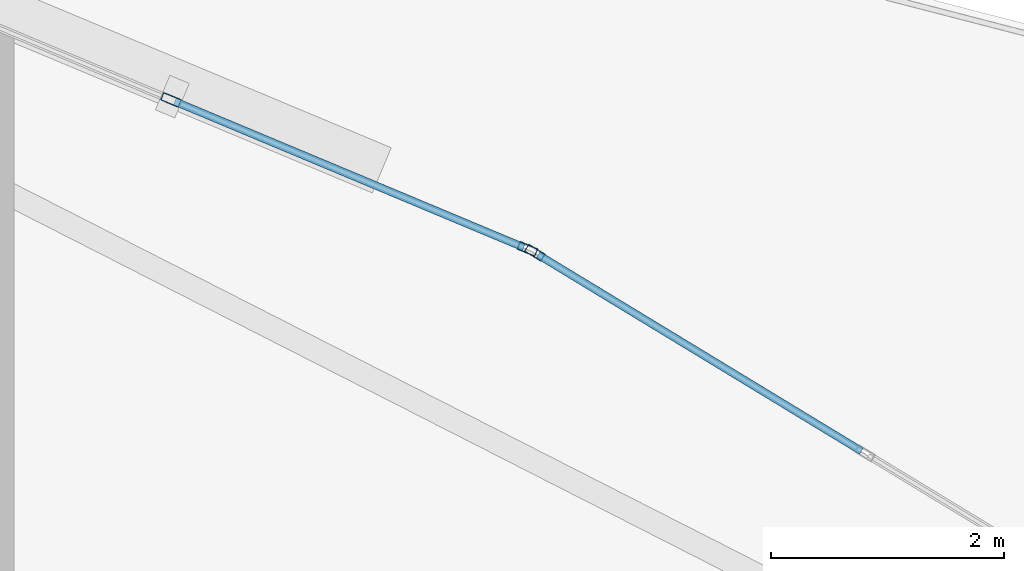
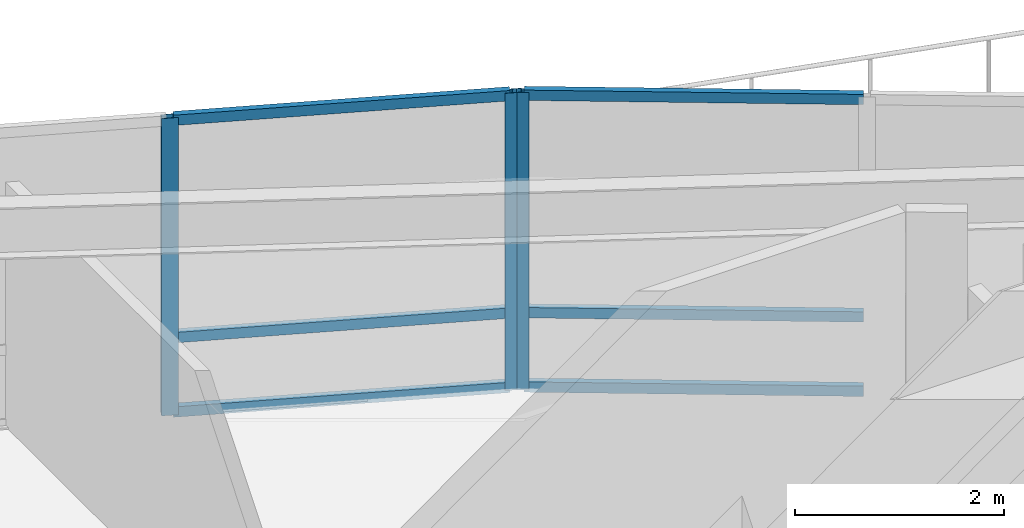
# One storey, part 12 of 19: 9 members, 2 elements without a shape of their own.
"""IFC4 building model written with IfcOpenShell, lengths in metres."""

from ifc_helpers import new_model, si_unit, direction, frame, origin, origin_2d, place, context, subcontext, project, spatial, hollow_rectangle, extrude, material, layer, layer_set, material_profile, profile_set, type_object, element, aggregate, save


model = new_model("IFC4")

# Units and contexts
model_context = context("Model", 3, precision=1e-05, world=origin(), true_north=direction((0.0, 1.0)))
body_context = subcontext(model_context, "Body", "Model", "MODEL_VIEW")
ifc_project = project(units=[si_unit("LENGTHUNIT", "METRE"), si_unit("AREAUNIT", "SQUARE_METRE"), si_unit("VOLUMEUNIT", "CUBIC_METRE"), si_unit("PLANEANGLEUNIT", "RADIAN"), si_unit("MASSUNIT", "GRAM", prefix="KILO")], contexts=[model_context])

# Site, building, storey
site_placement = place(None, origin())
site = spatial("IfcSite", under=ifc_project, at=site_placement, CompositionType="ELEMENT")
building_placement = place(site_placement, origin())
building = spatial("IfcBuilding", under=site, at=building_placement, Name="Menara Vayukalpa", CompositionType="ELEMENT")
storey_placement = place(building_placement, frame((0.0, 0.0, 68.52001953125)))
storey = spatial("IfcBuildingStorey", under=building, at=storey_placement, Name="L16", CompositionType="ELEMENT", Elevation=68.52001953125)

# Curtain wall, member
ifc_material_1 = material(Name="Anodised Terracotta Aluminium Alloy 6063-T6", Category="masonry")
ifc_layer = layer(ifc_material_1, 0.1650390625)
ifc_layer_set = layer_set([ifc_layer], Name="Anodised Terracotta Aluminium Alloy 6063-T6")
curtain_wall_type = type_object("IfcCurtainWallType", Name="CW-CW2", PredefinedType="USERDEFINED", material=ifc_layer_set)
curtain_wall_1_placement = place(storey_placement, origin())
curtain_wall_1 = element("IfcCurtainWall", 1, at=curtain_wall_1_placement, inside=storey, type_object=curtain_wall_type, Name="L16 Low Rise Terracotta Ribbon Curtain Wall CW2 04", ObjectType="UNITISED", PredefinedType="USERDEFINED")
ifc_material_2 = material(Name="Anodised Terracotta Aluminium Alloy 6063-T6", Category="masonry")
ifc_material_profile_1 = material_profile(ifc_material_2, hollow_rectangle(XDim=0.070068359375, YDim=0.1650390625, WallThickness=0.00390625, at=origin_2d()), Name="ALU 70x165x4")
ifc_profile_set_1 = profile_set([ifc_material_profile_1], Name="Anodised Terracotta Aluminium Alloy 6063-T6")
member_type_1 = type_object("IfcMemberType", Name="CWM-CW2", PredefinedType="MULLION", material=ifc_profile_set_1)
member_1_placement = place(storey_placement, frame((30.125, 32.30126953125, 0.0), z_axis=(0.0, 0.0, 1.0), x_axis=(-0.519181964377, -0.854663727945, 0.0)))
member_1 = element("IfcMember", 2, at=member_1_placement, type_object=member_type_1, Name="CW2 mullion 3", PredefinedType="MULLION", context=body_context, shape_type="SweptSolid", body=[
    extrude(hollow_rectangle(XDim=0.070068359375, YDim=0.1650390625, WallThickness=0.00390625, at=origin_2d()), origin(), (0.0, 0.0, 1.0), 3.469970703125),
])

# Curtain wall, members
curtain_wall_2_placement = place(storey_placement, origin())
curtain_wall_2 = element("IfcCurtainWall", 3, at=curtain_wall_2_placement, inside=storey, type_object=curtain_wall_type, Name="L16 Low Rise Terracotta Ribbon Curtain Wall CW2 05", ObjectType="UNITISED", PredefinedType="USERDEFINED")
member_2_placement = place(storey_placement, frame((30.062744140625, 32.3330078125, 0.0), z_axis=(0.0, 0.0, 1.0), x_axis=(-0.385895120445, -0.922542658101, 0.0)))
member_2 = element("IfcMember", 4, at=member_2_placement, type_object=member_type_1, Name="CW2 mullion 1", PredefinedType="MULLION", context=body_context, shape_type="SweptSolid", body=[
    extrude(hollow_rectangle(XDim=0.070068359375, YDim=0.1650390625, WallThickness=0.00390625, at=origin_2d()), origin(), (0.0, 0.0, 1.0), 3.469970703125),
])
member_3_placement = place(storey_placement, frame((27.0068359375, 33.611083984375, 0.0), z_axis=(0.0, 0.0, 1.0), x_axis=(-0.385895120445, -0.922542658101, 0.0)))
member_3 = element("IfcMember", 5, at=member_3_placement, type_object=member_type_1, Name="CW2 mullion 2", PredefinedType="MULLION", context=body_context, shape_type="SweptSolid", body=[
    extrude(hollow_rectangle(XDim=0.070068359375, YDim=0.1650390625, WallThickness=0.00390625, at=origin_2d()), origin(), (0.0, 0.0, 1.0), 3.469970703125),
])

# Member
ifc_material_3 = material(Name="Anodised Terracotta Aluminium Alloy 6063-T6", Category="masonry")
ifc_material_profile_2 = material_profile(ifc_material_3, hollow_rectangle(XDim=0.06494140625, YDim=0.1201171875, WallThickness=0.00341796875, at=origin_2d()), Name="ALU 65x120x3.5")
ifc_profile_set_2 = profile_set([ifc_material_profile_2], Name="Anodised Terracotta Aluminium Alloy 6063-T6")
member_type_2 = type_object("IfcMemberType", Name="CWT-CW2", PredefinedType="USERDEFINED", material=ifc_profile_set_2)
member_4_placement = place(storey_placement, frame((32.92626953125, 30.599609375, 0.032470703125), z_axis=(-0.854676552714, 0.519160851992, 0.0), x_axis=(-0.519160851992, -0.854676552714, 0.0)))
member_4 = element("IfcMember", 6, at=member_4_placement, type_object=member_type_2, Name="CW2 transom 2.1", ObjectType="TRANSOM", PredefinedType="USERDEFINED", context=body_context, shape_type="SweptSolid", body=[
    extrude(hollow_rectangle(XDim=0.06494140625, YDim=0.1201171875, WallThickness=0.00341796875, at=origin_2d()), origin(), (0.0, 0.0, 1.0), 3.242431640625),
])

member_5_placement = place(storey_placement, frame((32.92626953125, 30.599609375, 0.89990234375), z_axis=(-0.854676552714, 0.519160851992, 0.0), x_axis=(-0.519160851992, -0.854676552714, 0.0)))
member_5 = element("IfcMember", 7, at=member_5_placement, type_object=member_type_2, Name="CW2 transom 2.2", ObjectType="TRANSOM", PredefinedType="USERDEFINED", context=body_context, shape_type="SweptSolid", body=[
    extrude(hollow_rectangle(XDim=0.06494140625, YDim=0.1201171875, WallThickness=0.00341796875, at=origin_2d()), origin(), (0.0, 0.0, 1.0), 3.242431640625),
])

member_6_placement = place(storey_placement, frame((32.92626953125, 30.599609375, 3.4375), z_axis=(-0.854676552714, 0.519160851992, 0.0), x_axis=(-0.519160851992, -0.854676552714, 0.0)))
member_6 = element("IfcMember", 8, at=member_6_placement, type_object=member_type_2, Name="CW2 transom 2.3", ObjectType="TRANSOM", PredefinedType="USERDEFINED", context=body_context, shape_type="SweptSolid", body=[
    extrude(hollow_rectangle(XDim=0.06494140625, YDim=0.1201171875, WallThickness=0.00341796875, at=origin_2d()), origin(), (0.0, 0.0, 1.0), 3.242431640625),
])

aggregate(curtain_wall_1, [member_1, member_4, member_5, member_6])

member_7_placement = place(storey_placement, frame((30.030517578125, 32.346435546875, 0.032470703125), z_axis=(-0.922552588381, 0.385871379699, 0.0), x_axis=(-0.385871379699, -0.922552588381, 0.0)))
member_7 = element("IfcMember", 9, at=member_7_placement, type_object=member_type_2, Name="CW2 transom 1.1", ObjectType="TRANSOM", PredefinedType="USERDEFINED", context=body_context, shape_type="SweptSolid", body=[
    extrude(hollow_rectangle(XDim=0.06494140625, YDim=0.1201171875, WallThickness=0.00341796875, at=origin_2d()), origin(), (0.0, 0.0, 1.0), 3.24267578125),
])

member_8_placement = place(storey_placement, frame((30.030517578125, 32.346435546875, 0.89990234375), z_axis=(-0.922552588381, 0.385871379699, 0.0), x_axis=(-0.385871379699, -0.922552588381, 0.0)))
member_8 = element("IfcMember", 10, at=member_8_placement, type_object=member_type_2, Name="CW2 transom 1.2", ObjectType="TRANSOM", PredefinedType="USERDEFINED", context=body_context, shape_type="SweptSolid", body=[
    extrude(hollow_rectangle(XDim=0.06494140625, YDim=0.1201171875, WallThickness=0.00341796875, at=origin_2d()), origin(), (0.0, 0.0, 1.0), 3.24267578125),
])

member_9_placement = place(storey_placement, frame((30.030517578125, 32.346435546875, 3.4375), z_axis=(-0.922552588381, 0.385871379699, 0.0), x_axis=(-0.385871379699, -0.922552588381, 0.0)))
member_9 = element("IfcMember", 11, at=member_9_placement, type_object=member_type_2, Name="CW2 transom 1.3", ObjectType="TRANSOM", PredefinedType="USERDEFINED", context=body_context, shape_type="SweptSolid", body=[
    extrude(hollow_rectangle(XDim=0.06494140625, YDim=0.1201171875, WallThickness=0.00341796875, at=origin_2d()), origin(), (0.0, 0.0, 1.0), 3.24267578125),
])

aggregate(curtain_wall_2, [member_2, member_3, member_7, member_8, member_9])

save(model, "model.ifc")
